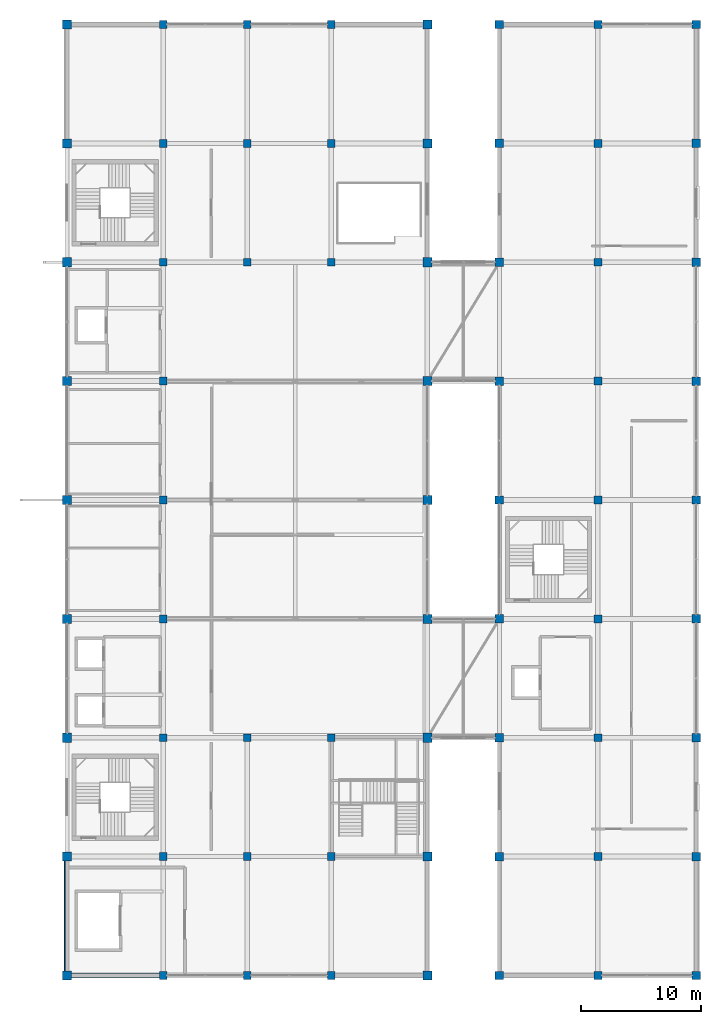
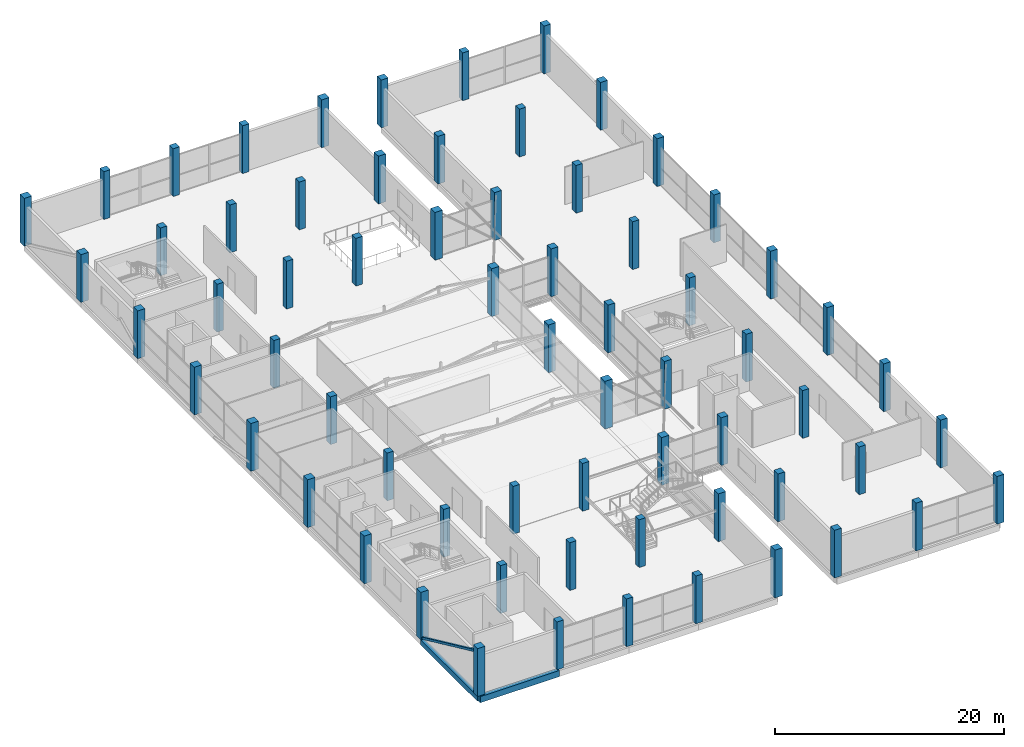
# One storey, part 1 of 67: 66 columns, 2 beams, 1 member.
"""IFC4 building model written with IfcOpenShell, lengths in metres."""

from ifc_helpers import new_model, si_unit, direction, frame, origin, origin_2d, place, context, subcontext, project, spatial, rectangle, hollow_rectangle, extrude, material, material_profile, profile_set, type_object, element, save


model = new_model("IFC4")

# Units and contexts
model_context = context("Model", 3, precision=1e-05, world=origin(), true_north=direction((0.0, 1.0)))
body_context = subcontext(model_context, "Body", "Model", "MODEL_VIEW")
ifc_project = project(units=[si_unit("LENGTHUNIT", "METRE"), si_unit("AREAUNIT", "SQUARE_METRE"), si_unit("VOLUMEUNIT", "CUBIC_METRE"), si_unit("PLANEANGLEUNIT", "RADIAN"), si_unit("MASSUNIT", "GRAM", prefix="KILO")], contexts=[model_context])

# Site, building, storey
site_placement = place(None, origin())
site = spatial("IfcSite", under=ifc_project, at=site_placement, CompositionType="ELEMENT")
building_placement = place(site_placement, origin())
building = spatial("IfcBuilding", under=site, at=building_placement, Name="Sillaruma Civic Art Gallery", CompositionType="ELEMENT")
storey_placement = place(building_placement, frame((0.0, 0.0, 46.919921875)))
storey = spatial("IfcBuildingStorey", under=building, at=storey_placement, Name="L09", CompositionType="ELEMENT", Elevation=46.919921875)

# Columns
ifc_material_1 = material(Name="Concrete H40 (40 MPa)", Category="concrete")
ifc_material_profile_1 = material_profile(ifc_material_1, rectangle(XDim=0.64990234375, YDim=0.64990234375, at=origin_2d()), Name="RC650x650")
ifc_profile_set_1 = profile_set([ifc_material_profile_1], Name="Concrete H40 (40 MPa)")
column_type_1 = type_object("IfcColumnType", Name="COL-COLUMN-RC650x650", PredefinedType="COLUMN", material=ifc_profile_set_1)
for number, where, z_axis, x_axis, name in (
    (1, (70.0, 19.800048828125, 0.0), (0.0, 0.0, 1.0), (1.0, 0.0, 0.0), "Column C-07 (L09:G3)"),
    (2, (70.0, 29.699951171875, 0.0), (0.0, 0.0, 1.0), (1.0, 0.0, 0.0), "Column C-07 (L09:G4)"),
    (3, (70.0, 39.60009765625, 0.0), (0.0, 0.0, 1.0), (1.0, 0.0, 0.0), "Column C-07 (L09:G5)"),
    (4, (70.0, 49.5, 0.0), (0.0, 0.0, 1.0), (1.0, 0.0, 0.0), "Column C-07 (L09:G6)"),
    (5, (70.0, 59.39990234375, 0.0), (0.0, 0.0, 1.0), (1.0, 0.0, 0.0), "Column C-07 (L09:G7)"),
    (6, (70.0, 69.300048828125, 0.0), (0.0, 0.0, 1.0), (1.0, 0.0, 0.0), "Column C-07 (L09:G8)"),
    (7, (70.0, 79.199951171875, 0.0), (0.0, 0.0, 1.0), (1.0, 0.0, 0.0), "Column C-07 (L09:G9)"),
    (8, (70.0, 89.10009765625, 0.0), (0.0, 0.0, 1.0), (1.0, 0.0, 0.0), "Column C-07 (L09:G10)"),
    (9, (70.0, 99.0, 0.0), (0.0, 0.0, 1.0), (1.0, 0.0, 0.0), "Column C-07 (L09:G11)"),
    (10, (77.0, 19.800048828125, 0.0), (0.0, 0.0, 1.0), (1.0, 0.0, 0.0), "Column C-07 (L09:H3)"),
    (11, (77.0, 29.699951171875, 0.0), (0.0, 0.0, 1.0), (1.0, 0.0, 0.0), "Column C-07 (L09:H4)"),
    (12, (77.0, 39.60009765625, 0.0), (0.0, 0.0, 1.0), (1.0, 0.0, 0.0), "Column C-07 (L09:H5)"),
    (13, (77.0, 79.199951171875, 0.0), (0.0, 0.0, 1.0), (1.0, 0.0, 0.0), "Column C-07 (L09:H9)"),
    (14, (77.0, 89.10009765625, 0.0), (0.0, 0.0, 1.0), (1.0, 0.0, 0.0), "Column C-07 (L09:H10)"),
    (15, (77.0, 99.0, 0.0), (0.0, 0.0, 1.0), (1.0, 0.0, 0.0), "Column C-07 (L09:H11)"),
    (16, (84.0, 19.800048828125, 0.0), (0.0, 0.0, 1.0), (1.0, 0.0, 0.0), "Column C-07 (L09:J3)"),
    (17, (84.0, 29.699951171875, 0.0), (0.0, 0.0, 1.0), (1.0, 0.0, 0.0), "Column C-07 (L09:J4)"),
    (18, (84.0, 39.60009765625, 0.0), (0.0, 0.0, 1.0), (1.0, 0.0, 0.0), "Column C-07 (L09:J5)"),
    (19, (84.0, 79.199951171875, 0.0), (0.0, 0.0, 1.0), (1.0, 0.0, 0.0), "Column C-07 (L09:J9)"),
    (20, (84.0, 89.10009765625, 0.0), (0.0, 0.0, 1.0), (1.0, 0.0, 0.0), "Column C-07 (L09:J10)"),
    (21, (84.0, 99.0, 0.0), (0.0, 0.0, 1.0), (1.0, 0.0, 0.0), "Column C-07 (L09:J11)"),
    (22, (106.199951171875, 19.800048828125, 0.0), (0.0, 0.0, 1.0), (1.0, 0.0, 0.0), "Column C-07 (L09:M3)"),
    (23, (106.199951171875, 29.699951171875, 0.0), (0.0, 0.0, 1.0), (1.0, 0.0, 0.0), "Column C-07 (L09:M4)"),
    (24, (106.199951171875, 39.60009765625, 0.0), (0.0, 0.0, 1.0), (1.0, 0.0, 0.0), "Column C-07 (L09:M5)"),
    (25, (106.199951171875, 49.5, 0.0), (0.0, 0.0, 1.0), (1.0, 0.0, 0.0), "Column C-07 (L09:M6)"),
    (26, (106.199951171875, 59.39990234375, 0.0), (0.0, 0.0, 1.0), (1.0, 0.0, 0.0), "Column C-07 (L09:M7)"),
    (27, (106.199951171875, 69.300048828125, 0.0), (0.0, 0.0, 1.0), (1.0, 0.0, 0.0), "Column C-07 (L09:M8)"),
    (28, (106.199951171875, 79.199951171875, 0.0), (0.0, 0.0, 1.0), (1.0, 0.0, 0.0), "Column C-07 (L09:M9)"),
    (29, (106.199951171875, 89.10009765625, 0.0), (0.0, 0.0, 1.0), (1.0, 0.0, 0.0), "Column C-07 (L09:M10)"),
    (30, (106.199951171875, 99.0, 0.0), (0.0, 0.0, 1.0), (1.0, 0.0, 0.0), "Column C-07 (L09:M11)"),
):
    element("IfcColumn", number, at=place(storey_placement, frame(where, z_axis=z_axis, x_axis=x_axis)), inside=storey, type_object=column_type_1, Name=name, PredefinedType="COLUMN", context=body_context, shape_type="SweptSolid", body=[
        extrude(rectangle(XDim=0.64990234375, YDim=0.64990234375, at=origin_2d()), origin(), (0.0, 0.0, 1.0), 5.10009765625),
    ])
ifc_material_profile_2 = material_profile(ifc_material_1, rectangle(XDim=0.699951171875, YDim=0.699951171875, at=origin_2d()), Name="RC700x700")
ifc_profile_set_2 = profile_set([ifc_material_profile_2], Name="Concrete H40 (40 MPa)")
column_type_2 = type_object("IfcColumnType", Name="COL-COLUMN-RC700x700", PredefinedType="COLUMN", material=ifc_profile_set_2)
for number, where, z_axis, x_axis, name in (
    (31, (98.0, 19.800048828125, 0.0), (0.0, 0.0, 1.0), (1.0, 0.0, 0.0), "Column C-06 (L09:L3)"),
    (32, (98.0, 29.699951171875, 0.0), (0.0, 0.0, 1.0), (1.0, 0.0, 0.0), "Column C-06 (L09:L4)"),
    (33, (98.0, 39.60009765625, 0.0), (0.0, 0.0, 1.0), (1.0, 0.0, 0.0), "Column C-06 (L09:L5)"),
    (34, (98.0, 49.5, 0.0), (0.0, 0.0, 1.0), (1.0, 0.0, 0.0), "Column C-06 (L09:L6)"),
    (35, (98.0, 59.39990234375, 0.0), (0.0, 0.0, 1.0), (1.0, 0.0, 0.0), "Column C-06 (L09:L7)"),
    (36, (98.0, 69.300048828125, 0.0), (0.0, 0.0, 1.0), (1.0, 0.0, 0.0), "Column C-06 (L09:L8)"),
    (37, (98.0, 79.199951171875, 0.0), (0.0, 0.0, 1.0), (1.0, 0.0, 0.0), "Column C-06 (L09:L9)"),
    (38, (98.0, 89.10009765625, 0.0), (0.0, 0.0, 1.0), (1.0, 0.0, 0.0), "Column C-06 (L09:L10)"),
    (39, (98.0, 99.0, 0.0), (0.0, 0.0, 1.0), (1.0, 0.0, 0.0), "Column C-06 (L09:L11)"),
    (40, (114.39990234375, 19.800048828125, 0.0), (0.0, 0.0, 1.0), (1.0, 0.0, 0.0), "Column C-06 (L09:N3)"),
    (41, (114.39990234375, 29.699951171875, 0.0), (0.0, 0.0, 1.0), (1.0, 0.0, 0.0), "Column C-06 (L09:N4)"),
    (42, (114.39990234375, 39.60009765625, 0.0), (0.0, 0.0, 1.0), (1.0, 0.0, 0.0), "Column C-06 (L09:N5)"),
    (43, (114.39990234375, 49.5, 0.0), (0.0, 0.0, 1.0), (1.0, 0.0, 0.0), "Column C-06 (L09:N6)"),
    (44, (114.39990234375, 59.39990234375, 0.0), (0.0, 0.0, 1.0), (1.0, 0.0, 0.0), "Column C-06 (L09:N7)"),
    (45, (114.39990234375, 69.300048828125, 0.0), (0.0, 0.0, 1.0), (1.0, 0.0, 0.0), "Column C-06 (L09:N8)"),
    (46, (114.39990234375, 79.199951171875, 0.0), (0.0, 0.0, 1.0), (1.0, 0.0, 0.0), "Column C-06 (L09:N9)"),
    (47, (114.39990234375, 89.10009765625, 0.0), (0.0, 0.0, 1.0), (1.0, 0.0, 0.0), "Column C-06 (L09:N10)"),
    (48, (114.39990234375, 99.0, 0.0), (0.0, 0.0, 1.0), (1.0, 0.0, 0.0), "Column C-06 (L09:N11)"),
):
    element("IfcColumn", number, at=place(storey_placement, frame(where, z_axis=z_axis, x_axis=x_axis)), inside=storey, type_object=column_type_2, Name=name, PredefinedType="COLUMN", context=body_context, shape_type="SweptSolid", body=[
        extrude(rectangle(XDim=0.699951171875, YDim=0.699951171875, at=origin_2d()), origin(), (0.0, 0.0, 1.0), 5.10009765625),
    ])
ifc_material_profile_3 = material_profile(ifc_material_1, rectangle(XDim=0.75, YDim=0.75, at=origin_2d()), Name="RC750x750")
ifc_profile_set_3 = profile_set([ifc_material_profile_3], Name="Concrete H40 (40 MPa)")
column_type_3 = type_object("IfcColumnType", Name="COL-COLUMN-RC750x750", PredefinedType="COLUMN", material=ifc_profile_set_3)
for number, where, z_axis, x_axis, name in (
    (49, (62.0, 19.800048828125, 0.0), (0.0, 0.0, 1.0), (1.0, 0.0, 0.0), "Column C-05 (L09:F3)"),
    (50, (62.0, 29.699951171875, 0.0), (0.0, 0.0, 1.0), (1.0, 0.0, 0.0), "Column C-05 (L09:F4)"),
    (51, (62.0, 39.60009765625, 0.0), (0.0, 0.0, 1.0), (1.0, 0.0, 0.0), "Column C-05 (L09:F5)"),
    (52, (62.0, 49.5, 0.0), (0.0, 0.0, 1.0), (1.0, 0.0, 0.0), "Column C-05 (L09:F6)"),
    (53, (62.0, 59.39990234375, 0.0), (0.0, 0.0, 1.0), (1.0, 0.0, 0.0), "Column C-05 (L09:F7)"),
    (54, (62.0, 69.300048828125, 0.0), (0.0, 0.0, 1.0), (1.0, 0.0, 0.0), "Column C-05 (L09:F8)"),
    (55, (62.0, 79.199951171875, 0.0), (0.0, 0.0, 1.0), (1.0, 0.0, 0.0), "Column C-05 (L09:F9)"),
    (56, (62.0, 89.10009765625, 0.0), (0.0, 0.0, 1.0), (1.0, 0.0, 0.0), "Column C-05 (L09:F10)"),
    (57, (62.0, 99.0, 0.0), (0.0, 0.0, 1.0), (1.0, 0.0, 0.0), "Column C-05 (L09:F11)"),
    (58, (92.0, 19.800048828125, 0.0), (0.0, 0.0, 1.0), (1.0, 0.0, 0.0), "Column C-05 (L09:K3)"),
    (59, (92.0, 29.699951171875, 0.0), (0.0, 0.0, 1.0), (1.0, 0.0, 0.0), "Column C-05 (L09:K4)"),
    (60, (92.0, 39.60009765625, 0.0), (0.0, 0.0, 1.0), (1.0, 0.0, 0.0), "Column C-05 (L09:K5)"),
    (61, (92.0, 49.5, 0.0), (0.0, 0.0, 1.0), (1.0, 0.0, 0.0), "Column C-05 (L09:K6)"),
    (62, (92.0, 59.39990234375, 0.0), (0.0, 0.0, 1.0), (1.0, 0.0, 0.0), "Column C-05 (L09:K7)"),
    (63, (92.0, 69.300048828125, 0.0), (0.0, 0.0, 1.0), (1.0, 0.0, 0.0), "Column C-05 (L09:K8)"),
    (64, (92.0, 79.199951171875, 0.0), (0.0, 0.0, 1.0), (1.0, 0.0, 0.0), "Column C-05 (L09:K9)"),
    (65, (92.0, 89.10009765625, 0.0), (0.0, 0.0, 1.0), (1.0, 0.0, 0.0), "Column C-05 (L09:K10)"),
    (66, (92.0, 99.0, 0.0), (0.0, 0.0, 1.0), (1.0, 0.0, 0.0), "Column C-05 (L09:K11)"),
):
    element("IfcColumn", number, at=place(storey_placement, frame(where, z_axis=z_axis, x_axis=x_axis)), inside=storey, type_object=column_type_3, Name=name, PredefinedType="COLUMN", context=body_context, shape_type="SweptSolid", body=[
        extrude(rectangle(XDim=0.75, YDim=0.75, at=origin_2d()), origin(), (0.0, 0.0, 1.0), 5.10009765625),
    ])

# Beams
ifc_material_2 = material(Name="Concrete H35 (35 MPa)", Category="concrete")
ifc_material_profile_4 = material_profile(ifc_material_2, rectangle(XDim=0.35009765625, YDim=0.550048828125, at=origin_2d()), Name="RCB350x550")
ifc_profile_set_4 = profile_set([ifc_material_profile_4], Name="Concrete H35 (35 MPa)")
beam_type_1 = type_object("IfcBeamType", Name="BM-SPANDREL-RCB350x550", PredefinedType="SPANDREL", material=ifc_profile_set_4)
beam_1_placement = place(storey_placement, frame((62.0, 19.800048828125, -0.52490234375), z_axis=(0.0, 1.0, 0.0), x_axis=(-1.0, 0.0, 0.0)))
element("IfcBeam", 67, at=beam_1_placement, inside=storey, type_object=beam_type_1, Name="Beam BS-04 (L08:F:3-4)", PredefinedType="SPANDREL", context=body_context, shape_type="SweptSolid", body=[
    extrude(rectangle(XDim=0.35009765625, YDim=0.550048828125, at=origin_2d()), origin(), (0.0, 0.0, 1.0), 9.89990234375),
])
ifc_material_profile_5 = material_profile(ifc_material_2, rectangle(XDim=0.39990234375, YDim=0.64990234375, at=origin_2d()), Name="RCB400x650")
ifc_profile_set_5 = profile_set([ifc_material_profile_5], Name="Concrete H35 (35 MPa)")
beam_type_2 = type_object("IfcBeamType", Name="BM-SPANDREL-RCB400x650", PredefinedType="SPANDREL", material=ifc_profile_set_5)
beam_2_placement = place(storey_placement, frame((62.0, 19.800048828125, -0.574951171875), z_axis=(1.0, 0.0, 0.0), x_axis=(0.0, 1.0, 0.0)))
element("IfcBeam", 68, at=beam_2_placement, inside=storey, type_object=beam_type_2, Name="Beam BS-02 (L08:3:F-G)", PredefinedType="SPANDREL", context=body_context, shape_type="SweptSolid", body=[
    extrude(rectangle(XDim=0.39990234375, YDim=0.64990234375, at=origin_2d()), origin(), (0.0, 0.0, 1.0), 8.0),
])

# Member
ifc_material_3 = material(Name="Structural Steel ASTM A500 Gr.C", Category="steel")
ifc_material_profile_6 = material_profile(ifc_material_3, hollow_rectangle(XDim=0.25, YDim=0.25, WallThickness=0.012451171875, InnerFilletRadius=0.012451171875, OuterFilletRadius=0.02490234375, at=origin_2d()), Name="HSS250x250x12.5")
ifc_profile_set_6 = profile_set([ifc_material_profile_6], Name="Structural Steel ASTM A500 Gr.C")
member_type = type_object("IfcMemberType", Name="MEM-MEGA-BRACE", PredefinedType="BRACE", material=ifc_profile_set_6)
member_placement = place(storey_placement, frame((61.85009765625, 29.52001953125, 0.10009765625), z_axis=(0.0, -0.908074976581, 0.418807637116), x_axis=(1.0, 0.0, 0.0)))
element("IfcMember", 69, at=member_placement, inside=storey, type_object=member_type, Name="Exterior Expressed Gallery Seismic Diagonal Brace (L09-WS)", PredefinedType="BRACE", context=body_context, shape_type="SweptSolid", body=[
    extrude(hollow_rectangle(XDim=0.25, YDim=0.25, WallThickness=0.012451171875, InnerFilletRadius=0.012451171875, OuterFilletRadius=0.02490234375, at=origin_2d()), origin(), (0.0, 0.0, 1.0), 10.505859375),
])

save(model, "model.ifc")
